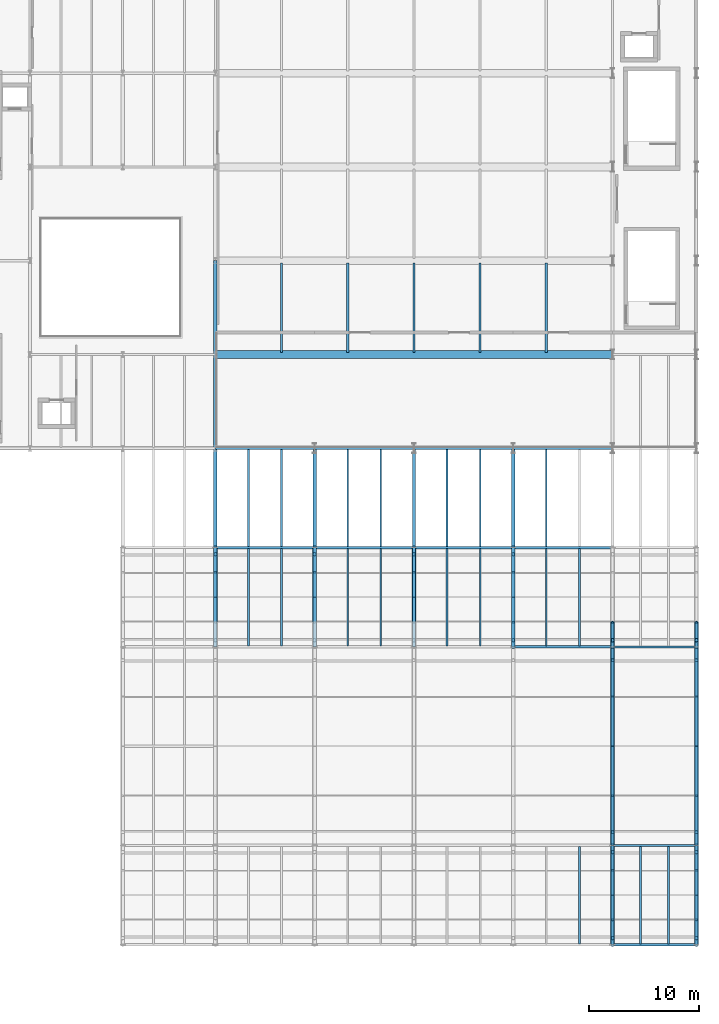
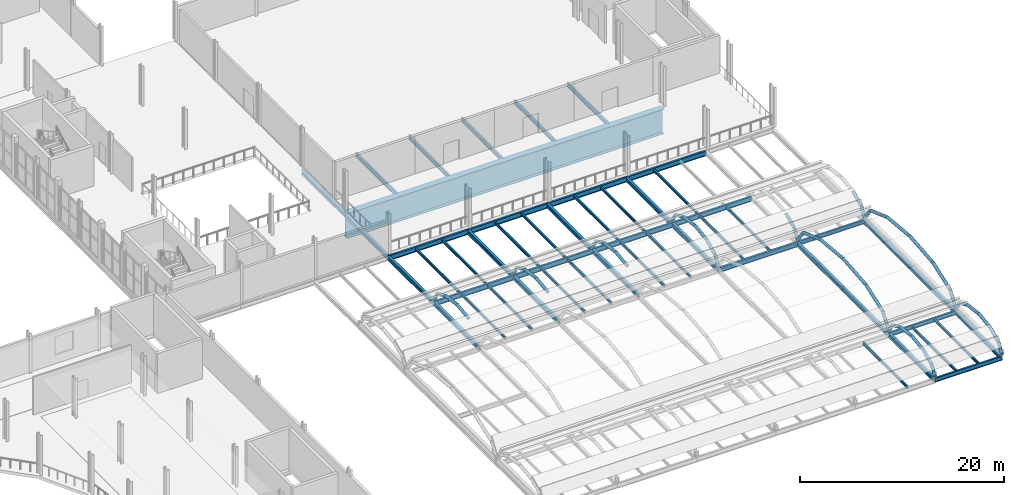
# One storey, part 34 of 63: 52 beams, 46 members.
"""IFC4 building model written with IfcOpenShell, lengths in metres."""

from ifc_helpers import new_model, si_unit, direction, frame, origin, origin_2d, place, context, subcontext, project, spatial, hollow_circle, i_section, extrude, material, material_profile, profile_set, type_object, element, save


model = new_model("IFC4")

# Units and contexts
model_context = context("Model", 3, precision=1e-05, world=origin(), true_north=direction((0.0, 1.0)))
body_context = subcontext(model_context, "Body", "Model", "MODEL_VIEW")
ifc_project = project(units=[si_unit("LENGTHUNIT", "METRE"), si_unit("AREAUNIT", "SQUARE_METRE"), si_unit("VOLUMEUNIT", "CUBIC_METRE"), si_unit("PLANEANGLEUNIT", "RADIAN"), si_unit("MASSUNIT", "GRAM", prefix="KILO")], contexts=[model_context])

# Site, building, storey
site_placement = place(None, origin())
site = spatial("IfcSite", under=ifc_project, at=site_placement, CompositionType="ELEMENT")
building_placement = place(site_placement, origin())
building = spatial("IfcBuilding", under=site, at=building_placement, Name="Sefraquen Railside Congress Hotel", CompositionType="ELEMENT")
storey_placement = place(building_placement, frame((0.0, 0.0, 11.39990234375)))
storey = spatial("IfcBuildingStorey", under=building, at=storey_placement, Name="L02", CompositionType="ELEMENT", Elevation=11.39990234375)

# Beams
ifc_material_1 = material(Name="Steel S355JR", Category="steel")
ifc_material_profile_1 = material_profile(ifc_material_1, i_section(OverallWidth=0.199951171875, OverallDepth=0.5, WebThickness=0.01025390625, FlangeThickness=0.01611328125, FilletRadius=0.02099609375, at=origin_2d()), Name="IPE 500")
ifc_profile_set_1 = profile_set([ifc_material_profile_1], Name="Steel S355JR")
beam_type_1 = type_object("IfcBeamType", Name="TB-BM-500", PredefinedType="BEAM", material=ifc_profile_set_1)
for number, where, z_axis, x_axis, name in (
    (1, (164.39990234375, 9.0, -0.599853515625), (1.0, 0.0, 0.0), (0.0, 1.0, 0.0), "Thermal Spa vault tension ring girder BM-L02-0680"),
    (2, (164.39990234375, 18.0, -0.599853515625), (1.0, 0.0, 0.0), (0.0, 1.0, 0.0), "Thermal Spa vault tension ring girder BM-L02-0689"),
    (3, (164.39990234375, 36.0, -0.599853515625), (1.0, 0.0, 0.0), (0.0, 1.0, 0.0), "Thermal Spa vault tension ring girder BM-L02-0704"),
):
    element("IfcBeam", number, at=place(storey_placement, frame(where, z_axis=z_axis, x_axis=x_axis)), inside=storey, type_object=beam_type_1, Name=name, PredefinedType="BEAM", context=body_context, shape_type="SweptSolid", body=[
        extrude(i_section(OverallWidth=0.199951171875, OverallDepth=0.5, WebThickness=0.01025390625, FlangeThickness=0.01611328125, FilletRadius=0.02099609375, at=origin_2d()), origin(), (0.0, 0.0, 1.0), 7.60009765625),
    ])
ifc_material_profile_2 = material_profile(ifc_material_1, i_section(OverallWidth=0.300048828125, OverallDepth=0.489990234375, WebThickness=0.011962890625, FlangeThickness=0.02294921875, FilletRadius=0.027099609375, at=origin_2d()), Name="HEA 500")
ifc_profile_set_2 = profile_set([ifc_material_profile_2], Name="Steel S355JR")
beam_type_2 = type_object("IfcBeamType", Name="TB-GIR-500", PredefinedType="T_BEAM", material=ifc_profile_set_2)
for number, where, z_axis, x_axis, name in (
    (4, (128.39990234375, 36.0, -0.594970703125), (0.0, 1.0, 0.0), (-1.0, 0.0, 0.0), "Floor beam BM-L02-0957"),
    (5, (128.39990234375, 45.0, -0.594970703125), (0.0, 1.0, 0.0), (-1.0, 0.0, 0.0), "Floor beam BM-L02-0958"),
):
    element("IfcBeam", number, at=place(storey_placement, frame(where, z_axis=z_axis, x_axis=x_axis)), inside=storey, type_object=beam_type_2, Name=name, PredefinedType="T_BEAM", context=body_context, shape_type="SweptSolid", body=[
        extrude(i_section(OverallWidth=0.300048828125, OverallDepth=0.489990234375, WebThickness=0.011962890625, FlangeThickness=0.02294921875, FilletRadius=0.027099609375, at=origin_2d()), origin(), (0.0, 0.0, 1.0), 9.0),
    ])
for number, where, z_axis, x_axis, name in (
    (6, (128.39990234375, 54.0, -0.594970703125), (0.0, 1.0, 0.0), (-1.0, 0.0, 0.0), "Floor beam BM-L02-0959"),
    (7, (128.39990234375, 62.5, -0.594970703125), (0.0, 1.0, 0.0), (-1.0, 0.0, 0.0), "Floor beam BM-L02-0960"),
):
    element("IfcBeam", number, at=place(storey_placement, frame(where, z_axis=z_axis, x_axis=x_axis)), inside=storey, type_object=beam_type_2, Name=name, PredefinedType="T_BEAM", context=body_context, shape_type="SweptSolid", body=[
        extrude(i_section(OverallWidth=0.300048828125, OverallDepth=0.489990234375, WebThickness=0.011962890625, FlangeThickness=0.02294921875, FilletRadius=0.027099609375, at=origin_2d()), origin(), (0.0, 0.0, 1.0), 8.5),
    ])
for number, where, z_axis, x_axis, name in (
    (8, (137.39990234375, 36.0, -0.594970703125), (0.0, 1.0, 0.0), (-1.0, 0.0, 0.0), "Floor beam BM-L02-0966"),
    (9, (137.39990234375, 45.0, -0.594970703125), (0.0, 1.0, 0.0), (-1.0, 0.0, 0.0), "Floor beam BM-L02-0967"),
    (10, (146.39990234375, 36.0, -0.594970703125), (0.0, 1.0, 0.0), (-1.0, 0.0, 0.0), "Floor beam BM-L02-0970"),
    (11, (146.39990234375, 45.0, -0.594970703125), (0.0, 1.0, 0.0), (-1.0, 0.0, 0.0), "Floor beam BM-L02-0971"),
    (12, (155.39990234375, 36.0, -0.594970703125), (0.0, 1.0, 0.0), (-1.0, 0.0, 0.0), "Floor beam BM-L02-0974"),
    (13, (155.39990234375, 45.0, -0.594970703125), (0.0, 1.0, 0.0), (-1.0, 0.0, 0.0), "Floor beam BM-L02-0975"),
    (14, (164.39990234375, 9.0, -0.594970703125), (0.0, 1.0, 0.0), (-1.0, 0.0, 0.0), "Floor beam BM-L02-0976"),
    (15, (164.39990234375, 18.0, -0.594970703125), (0.0, 1.0, 0.0), (-1.0, 0.0, 0.0), "Floor beam BM-L02-0977"),
    (16, (164.39990234375, 27.0, -0.594970703125), (0.0, 1.0, 0.0), (-1.0, 0.0, 0.0), "Floor beam BM-L02-0978"),
    (17, (172.0, 9.0, -0.594970703125), (0.0, 1.0, 0.0), (-1.0, 0.0, 0.0), "Floor beam BM-L02-0986"),
    (18, (172.0, 18.0, -0.594970703125), (0.0, 1.0, 0.0), (-1.0, 0.0, 0.0), "Floor beam BM-L02-0987"),
    (19, (172.0, 27.0, -0.594970703125), (0.0, 1.0, 0.0), (-1.0, 0.0, 0.0), "Floor beam BM-L02-0988"),
):
    element("IfcBeam", number, at=place(storey_placement, frame(where, z_axis=z_axis, x_axis=x_axis)), inside=storey, type_object=beam_type_2, Name=name, PredefinedType="T_BEAM", context=body_context, shape_type="SweptSolid", body=[
        extrude(i_section(OverallWidth=0.300048828125, OverallDepth=0.489990234375, WebThickness=0.011962890625, FlangeThickness=0.02294921875, FilletRadius=0.027099609375, at=origin_2d()), origin(), (0.0, 0.0, 1.0), 9.0),
    ])
ifc_material_profile_3 = material_profile(ifc_material_1, i_section(OverallWidth=0.219970703125, OverallDepth=0.60009765625, WebThickness=0.011962890625, FlangeThickness=0.01904296875, FilletRadius=0.02392578125, at=origin_2d()), Name="IPE 600")
ifc_profile_set_3 = profile_set([ifc_material_profile_3], Name="Steel S355JR")
beam_type_3 = type_object("IfcBeamType", Name="TB-GIR-600", PredefinedType="T_BEAM", material=ifc_profile_set_3)
for number, where, z_axis, x_axis, name in (
    (20, (155.39990234375, 36.0, -0.64990234375), (1.0, 0.0, 0.0), (0.0, 1.0, 0.0), "Thermal Spa vault tension ring girder BM-L02-0703"),
    (21, (128.39990234375, 45.0, -0.64990234375), (1.0, 0.0, 0.0), (0.0, 1.0, 0.0), "Thermal Spa vault tension ring girder BM-L02-0710"),
    (22, (137.39990234375, 45.0, -0.64990234375), (1.0, 0.0, 0.0), (0.0, 1.0, 0.0), "Thermal Spa vault tension ring girder BM-L02-0711"),
    (23, (146.39990234375, 45.0, -0.64990234375), (1.0, 0.0, 0.0), (0.0, 1.0, 0.0), "Thermal Spa vault tension ring girder BM-L02-0712"),
    (24, (155.39990234375, 45.0, -0.64990234375), (1.0, 0.0, 0.0), (0.0, 1.0, 0.0), "Thermal Spa vault tension ring girder BM-L02-0713"),
    (25, (128.39990234375, 54.0, -0.64990234375), (1.0, 0.0, 0.0), (0.0, 1.0, 0.0), "Primary girder BM-L02-0727"),
    (26, (137.39990234375, 54.0, -0.64990234375), (1.0, 0.0, 0.0), (0.0, 1.0, 0.0), "Primary girder BM-L02-0728"),
    (27, (146.39990234375, 54.0, -0.64990234375), (1.0, 0.0, 0.0), (0.0, 1.0, 0.0), "Primary girder BM-L02-0729"),
    (28, (155.39990234375, 54.0, -0.64990234375), (1.0, 0.0, 0.0), (0.0, 1.0, 0.0), "Primary girder BM-L02-0730"),
):
    element("IfcBeam", number, at=place(storey_placement, frame(where, z_axis=z_axis, x_axis=x_axis)), inside=storey, type_object=beam_type_3, Name=name, PredefinedType="T_BEAM", context=body_context, shape_type="SweptSolid", body=[
        extrude(i_section(OverallWidth=0.219970703125, OverallDepth=0.60009765625, WebThickness=0.011962890625, FlangeThickness=0.01904296875, FilletRadius=0.02392578125, at=origin_2d()), origin(), (0.0, 0.0, 1.0), 9.0),
    ])
ifc_material_profile_4 = material_profile(ifc_material_1, i_section(OverallWidth=0.159912109375, OverallDepth=0.330078125, WebThickness=0.007568359375, FlangeThickness=0.011474609375, FilletRadius=0.01806640625, at=origin_2d()), Name="IPE 330")
ifc_profile_set_4 = profile_set([ifc_material_profile_4], Name="Steel S355JR")
beam_type_4 = type_object("IfcBeamType", Name="TB-JST-330", PredefinedType="JOIST", material=ifc_profile_set_4)
for number, where, z_axis, x_axis, name in (
    (29, (131.39990234375, 36.090087890625, -0.514892578125), (0.0, 1.0, 0.0), (-1.0, 0.0, 0.0), "Composite floor joist BM-L02-J0602"),
    (30, (134.39990234375, 36.090087890625, -0.514892578125), (0.0, 1.0, 0.0), (-1.0, 0.0, 0.0), "Composite floor joist BM-L02-J0603"),
    (31, (131.39990234375, 45.090087890625, -0.514892578125), (0.0, 1.0, 0.0), (-1.0, 0.0, 0.0), "Composite floor joist BM-L02-J0604"),
    (32, (134.39990234375, 45.090087890625, -0.514892578125), (0.0, 1.0, 0.0), (-1.0, 0.0, 0.0), "Composite floor joist BM-L02-J0605"),
    (33, (140.39990234375, 36.090087890625, -0.514892578125), (0.0, 1.0, 0.0), (-1.0, 0.0, 0.0), "Composite floor joist BM-L02-J0608"),
    (34, (143.39990234375, 36.090087890625, -0.514892578125), (0.0, 1.0, 0.0), (-1.0, 0.0, 0.0), "Composite floor joist BM-L02-J0609"),
    (35, (140.39990234375, 45.090087890625, -0.514892578125), (0.0, 1.0, 0.0), (-1.0, 0.0, 0.0), "Composite floor joist BM-L02-J0610"),
    (36, (143.39990234375, 45.090087890625, -0.514892578125), (0.0, 1.0, 0.0), (-1.0, 0.0, 0.0), "Composite floor joist BM-L02-J0611"),
    (37, (149.39990234375, 36.090087890625, -0.514892578125), (0.0, 1.0, 0.0), (-1.0, 0.0, 0.0), "Composite floor joist BM-L02-J0614"),
    (38, (152.39990234375, 36.090087890625, -0.514892578125), (0.0, 1.0, 0.0), (-1.0, 0.0, 0.0), "Composite floor joist BM-L02-J0615"),
    (39, (149.39990234375, 45.090087890625, -0.514892578125), (0.0, 1.0, 0.0), (-1.0, 0.0, 0.0), "Composite floor joist BM-L02-J0616"),
    (40, (152.39990234375, 45.090087890625, -0.514892578125), (0.0, 1.0, 0.0), (-1.0, 0.0, 0.0), "Composite floor joist BM-L02-J0617"),
    (41, (161.39990234375, 9.090087890625, -0.514892578125), (0.0, 1.0, 0.0), (-1.0, 0.0, 0.0), "Composite floor joist BM-L02-J0619"),
    (42, (158.39990234375, 36.090087890625, -0.514892578125), (0.0, 1.0, 0.0), (-1.0, 0.0, 0.0), "Composite floor joist BM-L02-J0620"),
    (43, (161.39990234375, 36.090087890625, -0.514892578125), (0.0, 1.0, 0.0), (-1.0, 0.0, 0.0), "Composite floor joist BM-L02-J0621"),
    (44, (158.39990234375, 45.090087890625, -0.514892578125), (0.0, 1.0, 0.0), (-1.0, 0.0, 0.0), "Composite floor joist BM-L02-J0622"),
):
    element("IfcBeam", number, at=place(storey_placement, frame(where, z_axis=z_axis, x_axis=x_axis)), inside=storey, type_object=beam_type_4, Name=name, PredefinedType="JOIST", context=body_context, shape_type="SweptSolid", body=[
        extrude(i_section(OverallWidth=0.159912109375, OverallDepth=0.330078125, WebThickness=0.007568359375, FlangeThickness=0.011474609375, FilletRadius=0.01806640625, at=origin_2d()), origin(), (0.0, 0.0, 1.0), 8.81982421875),
    ])
for number, where, z_axis, x_axis, name in (
    (45, (166.933349609375, 9.080078125, -0.514892578125), (0.0, 1.0, 0.0), (-1.0, 0.0, 0.0), "Composite floor joist BM-L02-J0624"),
    (46, (169.466796875, 9.080078125, -0.514892578125), (0.0, 1.0, 0.0), (-1.0, 0.0, 0.0), "Composite floor joist BM-L02-J0625"),
):
    element("IfcBeam", number, at=place(storey_placement, frame(where, z_axis=z_axis, x_axis=x_axis)), inside=storey, type_object=beam_type_4, Name=name, PredefinedType="JOIST", context=body_context, shape_type="SweptSolid", body=[
        extrude(i_section(OverallWidth=0.159912109375, OverallDepth=0.330078125, WebThickness=0.007568359375, FlangeThickness=0.011474609375, FilletRadius=0.01806640625, at=origin_2d()), origin(), (0.0, 0.0, 1.0), 8.83984375),
    ])
ifc_material_profile_5 = material_profile(ifc_material_1, i_section(OverallWidth=0.199951171875, OverallDepth=0.5, WebThickness=0.01025390625, FlangeThickness=0.01611328125, FilletRadius=0.02099609375, at=origin_2d()), Name="IPE 500")
ifc_profile_set_5 = profile_set([ifc_material_profile_5], Name="Steel S355JR")
beam_type_5 = type_object("IfcBeamType", Name="TB-JST-500", PredefinedType="JOIST", material=ifc_profile_set_5)
for number, where, z_axis, x_axis, name in (
    (47, (134.39990234375, 62.699951171875, -0.469970703125), (0.0, 1.0, 0.0), (-1.0, 0.0, 0.0), "Ballroom transfer secondary joist BM-L02-BJ0632"),
    (48, (140.39990234375, 62.699951171875, -0.469970703125), (0.0, 1.0, 0.0), (-1.0, 0.0, 0.0), "Ballroom transfer secondary joist BM-L02-BJ0633"),
    (49, (146.39990234375, 62.699951171875, -0.469970703125), (0.0, 1.0, 0.0), (-1.0, 0.0, 0.0), "Ballroom transfer secondary joist BM-L02-BJ0634"),
    (50, (152.39990234375, 62.699951171875, -0.469970703125), (0.0, 1.0, 0.0), (-1.0, 0.0, 0.0), "Ballroom transfer secondary joist BM-L02-BJ0635"),
    (51, (158.39990234375, 62.699951171875, -0.469970703125), (0.0, 1.0, 0.0), (-1.0, 0.0, 0.0), "Ballroom transfer secondary joist BM-L02-BJ0636"),
):
    element("IfcBeam", number, at=place(storey_placement, frame(where, z_axis=z_axis, x_axis=x_axis)), inside=storey, type_object=beam_type_5, Name=name, PredefinedType="JOIST", context=body_context, shape_type="SweptSolid", body=[
        extrude(i_section(OverallWidth=0.199951171875, OverallDepth=0.5, WebThickness=0.01025390625, FlangeThickness=0.01611328125, FilletRadius=0.02099609375, at=origin_2d()), origin(), (0.0, 0.0, 1.0), 8.10009765625),
    ])
ifc_material_2 = material(Name="Steel S355J2", Category="steel")
ifc_material_profile_6 = material_profile(ifc_material_2, i_section(OverallWidth=0.699951171875, OverallDepth=3.0, WebThickness=0.031982421875, FlangeThickness=0.054931640625, at=origin_2d()), Name="WG 3000x700")
ifc_profile_set_6 = profile_set([ifc_material_profile_6], Name="Steel S355J2")
beam_type_6 = type_object("IfcBeamType", Name="TB-TG-3000", PredefinedType="USERDEFINED", material=ifc_profile_set_6)
beam_placement = place(storey_placement, frame((128.39990234375, 62.5, -1.81982421875), z_axis=(1.0, 0.0, 0.0), x_axis=(0.0, 1.0, 0.0)))
element("IfcBeam", 52, at=beam_placement, inside=storey, type_object=beam_type_6, Name="Transfer girder BM-L02-0740", ObjectType="TRANSFER GIRDER", PredefinedType="USERDEFINED", context=body_context, shape_type="SweptSolid", body=[
    extrude(i_section(OverallWidth=0.699951171875, OverallDepth=3.0, WebThickness=0.031982421875, FlangeThickness=0.054931640625, at=origin_2d()), origin(), (0.0, 0.0, 1.0), 36.0),
])

# Members
ifc_material_profile_7 = material_profile(ifc_material_2, hollow_circle(Radius=0.177734375, WallThickness=0.01611328125, at=origin_2d()), Name="CHS 355.6x16")
ifc_profile_set_7 = profile_set([ifc_material_profile_7], Name="Steel S355J2")
member_type = type_object("IfcMemberType", Name="TM-VRAF-355", PredefinedType="RAFTER", material=ifc_profile_set_7)
member_1_placement = place(storey_placement, frame((164.39990234375, 9.0, -0.18994140625), z_axis=(0.0, 0.4949942083, 0.868896273297), x_axis=(-1.0, 0.0, 0.0)))
element("IfcMember", 53, at=member_1_placement, inside=storey, type_object=member_type, Name="Thermal Spa vault 1 arched rib 6.1", PredefinedType="RAFTER", context=body_context, shape_type="SweptSolid", body=[
    extrude(hollow_circle(Radius=0.177734375, WallThickness=0.01611328125, at=origin_2d()), origin(), (0.0, 0.0, 1.0), 1.2177734375),
])
member_2_placement = place(storey_placement, frame((164.39990234375, 9.602783203125, 0.8681640625), z_axis=(0.0, 0.906214019908, 0.422819287783), x_axis=(-1.0, 0.0, 0.0)))
element("IfcMember", 54, at=member_2_placement, inside=storey, type_object=member_type, Name="Thermal Spa vault 1 arched rib 6.2", PredefinedType="RAFTER", context=body_context, shape_type="SweptSolid", body=[
    extrude(hollow_circle(Radius=0.177734375, WallThickness=0.01611328125, at=origin_2d()), origin(), (0.0, 0.0, 1.0), 1.817626953125),
])
for number, where, z_axis, x_axis, name in (
    (55, (164.39990234375, 11.25, 1.63671875), (0.0, 0.992264619654, 0.124140745059), (-1.0, 0.0, 0.0), "Thermal Spa vault 1 arched rib 6.3"),
    (56, (164.39990234375, 13.5, 1.918212890625), (0.0, 0.992264619654, -0.124140745059), (-1.0, 0.0, 0.0), "Thermal Spa vault 1 arched rib 6.4"),
):
    element("IfcMember", number, at=place(storey_placement, frame(where, z_axis=z_axis, x_axis=x_axis)), inside=storey, type_object=member_type, Name=name, PredefinedType="RAFTER", context=body_context, shape_type="SweptSolid", body=[
        extrude(hollow_circle(Radius=0.177734375, WallThickness=0.01611328125, at=origin_2d()), origin(), (0.0, 0.0, 1.0), 2.267578125),
    ])
member_3_placement = place(storey_placement, frame((164.39990234375, 15.75, 1.63671875), z_axis=(0.0, 0.906214019908, -0.422819287783), x_axis=(-1.0, 0.0, 0.0)))
element("IfcMember", 57, at=member_3_placement, inside=storey, type_object=member_type, Name="Thermal Spa vault 1 arched rib 6.5", PredefinedType="RAFTER", context=body_context, shape_type="SweptSolid", body=[
    extrude(hollow_circle(Radius=0.177734375, WallThickness=0.01611328125, at=origin_2d()), origin(), (0.0, 0.0, 1.0), 1.817626953125),
])
for number, where, z_axis, x_axis, name in (
    (58, (164.39990234375, 17.397216796875, 0.8681640625), (0.0, 0.4949942083, -0.868896273297), (-1.0, 0.0, 0.0), "Thermal Spa vault 1 arched rib 6.6"),
    (59, (172.0, 9.0, -0.18994140625), (0.0, 0.4949942083, 0.868896273297), (-1.0, 0.0, 0.0), "Thermal Spa vault 1 arched rib 7.1"),
):
    element("IfcMember", number, at=place(storey_placement, frame(where, z_axis=z_axis, x_axis=x_axis)), inside=storey, type_object=member_type, Name=name, PredefinedType="RAFTER", context=body_context, shape_type="SweptSolid", body=[
        extrude(hollow_circle(Radius=0.177734375, WallThickness=0.01611328125, at=origin_2d()), origin(), (0.0, 0.0, 1.0), 1.2177734375),
    ])
member_4_placement = place(storey_placement, frame((172.0, 9.602783203125, 0.8681640625), z_axis=(0.0, 0.906214019908, 0.422819287783), x_axis=(-1.0, 0.0, 0.0)))
element("IfcMember", 60, at=member_4_placement, inside=storey, type_object=member_type, Name="Thermal Spa vault 1 arched rib 7.2", PredefinedType="RAFTER", context=body_context, shape_type="SweptSolid", body=[
    extrude(hollow_circle(Radius=0.177734375, WallThickness=0.01611328125, at=origin_2d()), origin(), (0.0, 0.0, 1.0), 1.817626953125),
])
for number, where, z_axis, x_axis, name in (
    (61, (172.0, 11.25, 1.63671875), (0.0, 0.992264619654, 0.124140745059), (-1.0, 0.0, 0.0), "Thermal Spa vault 1 arched rib 7.3"),
    (62, (172.0, 13.5, 1.918212890625), (0.0, 0.992264619654, -0.124140745059), (-1.0, 0.0, 0.0), "Thermal Spa vault 1 arched rib 7.4"),
):
    element("IfcMember", number, at=place(storey_placement, frame(where, z_axis=z_axis, x_axis=x_axis)), inside=storey, type_object=member_type, Name=name, PredefinedType="RAFTER", context=body_context, shape_type="SweptSolid", body=[
        extrude(hollow_circle(Radius=0.177734375, WallThickness=0.01611328125, at=origin_2d()), origin(), (0.0, 0.0, 1.0), 2.267578125),
    ])
member_5_placement = place(storey_placement, frame((172.0, 15.75, 1.63671875), z_axis=(0.0, 0.906214019908, -0.422819287783), x_axis=(-1.0, 0.0, 0.0)))
element("IfcMember", 63, at=member_5_placement, inside=storey, type_object=member_type, Name="Thermal Spa vault 1 arched rib 7.5", PredefinedType="RAFTER", context=body_context, shape_type="SweptSolid", body=[
    extrude(hollow_circle(Radius=0.177734375, WallThickness=0.01611328125, at=origin_2d()), origin(), (0.0, 0.0, 1.0), 1.817626953125),
])
member_6_placement = place(storey_placement, frame((172.0, 17.397216796875, 0.8681640625), z_axis=(0.0, 0.4949942083, -0.868896273297), x_axis=(-1.0, 0.0, 0.0)))
element("IfcMember", 64, at=member_6_placement, inside=storey, type_object=member_type, Name="Thermal Spa vault 1 arched rib 7.6", PredefinedType="RAFTER", context=body_context, shape_type="SweptSolid", body=[
    extrude(hollow_circle(Radius=0.177734375, WallThickness=0.01611328125, at=origin_2d()), origin(), (0.0, 0.0, 1.0), 1.2177734375),
])
member_7_placement = place(storey_placement, frame((164.39990234375, 18.0, -0.18994140625), z_axis=(0.0, 0.599902825649, 0.800072871543), x_axis=(-1.0, 0.0, 0.0)))
element("IfcMember", 65, at=member_7_placement, inside=storey, type_object=member_type, Name="Thermal Spa vault 2 arched rib 6.1", PredefinedType="RAFTER", context=body_context, shape_type="SweptSolid", body=[
    extrude(hollow_circle(Radius=0.177734375, WallThickness=0.01611328125, at=origin_2d()), origin(), (0.0, 0.0, 1.0), 2.010009765625),
])
member_8_placement = place(storey_placement, frame((164.39990234375, 19.205810546875, 1.418212890625), z_axis=(0.0, 0.942225955729, 0.334977981889), x_axis=(-1.0, 0.0, 0.0)))
element("IfcMember", 66, at=member_8_placement, inside=storey, type_object=member_type, Name="Thermal Spa vault 2 arched rib 6.2", PredefinedType="RAFTER", context=body_context, shape_type="SweptSolid", body=[
    extrude(hollow_circle(Radius=0.177734375, WallThickness=0.01611328125, at=origin_2d()), origin(), (0.0, 0.0, 1.0), 3.49609375),
])
for number, where, z_axis, x_axis, name in (
    (67, (164.39990234375, 22.5, 2.58935546875), (0.0, 0.995492559283, 0.094839677414), (-1.0, 0.0, 0.0), "Thermal Spa vault 2 arched rib 6.3"),
    (68, (164.39990234375, 27.0, 3.01806640625), (0.0, 0.995492559283, -0.094839677414), (-1.0, 0.0, 0.0), "Thermal Spa vault 2 arched rib 6.4"),
):
    element("IfcMember", number, at=place(storey_placement, frame(where, z_axis=z_axis, x_axis=x_axis)), inside=storey, type_object=member_type, Name=name, PredefinedType="RAFTER", context=body_context, shape_type="SweptSolid", body=[
        extrude(hollow_circle(Radius=0.177734375, WallThickness=0.01611328125, at=origin_2d()), origin(), (0.0, 0.0, 1.0), 4.520263671875),
    ])
member_9_placement = place(storey_placement, frame((164.39990234375, 31.5, 2.58935546875), z_axis=(0.0, 0.942225955729, -0.334977981889), x_axis=(-1.0, 0.0, 0.0)))
element("IfcMember", 69, at=member_9_placement, inside=storey, type_object=member_type, Name="Thermal Spa vault 2 arched rib 6.5", PredefinedType="RAFTER", context=body_context, shape_type="SweptSolid", body=[
    extrude(hollow_circle(Radius=0.177734375, WallThickness=0.01611328125, at=origin_2d()), origin(), (0.0, 0.0, 1.0), 3.49609375),
])
for number, where, z_axis, x_axis, name in (
    (70, (164.39990234375, 34.794189453125, 1.418212890625), (0.0, 0.599902825649, -0.800072871543), (-1.0, 0.0, 0.0), "Thermal Spa vault 2 arched rib 6.6"),
    (71, (172.0, 18.0, -0.18994140625), (0.0, 0.599902825649, 0.800072871543), (-1.0, 0.0, 0.0), "Thermal Spa vault 2 arched rib 7.1"),
):
    element("IfcMember", number, at=place(storey_placement, frame(where, z_axis=z_axis, x_axis=x_axis)), inside=storey, type_object=member_type, Name=name, PredefinedType="RAFTER", context=body_context, shape_type="SweptSolid", body=[
        extrude(hollow_circle(Radius=0.177734375, WallThickness=0.01611328125, at=origin_2d()), origin(), (0.0, 0.0, 1.0), 2.010009765625),
    ])
member_10_placement = place(storey_placement, frame((172.0, 19.205810546875, 1.418212890625), z_axis=(0.0, 0.942225955729, 0.334977981889), x_axis=(-1.0, 0.0, 0.0)))
element("IfcMember", 72, at=member_10_placement, inside=storey, type_object=member_type, Name="Thermal Spa vault 2 arched rib 7.2", PredefinedType="RAFTER", context=body_context, shape_type="SweptSolid", body=[
    extrude(hollow_circle(Radius=0.177734375, WallThickness=0.01611328125, at=origin_2d()), origin(), (0.0, 0.0, 1.0), 3.49609375),
])
for number, where, z_axis, x_axis, name in (
    (73, (172.0, 22.5, 2.58935546875), (0.0, 0.995492559283, 0.094839677414), (-1.0, 0.0, 0.0), "Thermal Spa vault 2 arched rib 7.3"),
    (74, (172.0, 27.0, 3.01806640625), (0.0, 0.995492559283, -0.094839677414), (-1.0, 0.0, 0.0), "Thermal Spa vault 2 arched rib 7.4"),
):
    element("IfcMember", number, at=place(storey_placement, frame(where, z_axis=z_axis, x_axis=x_axis)), inside=storey, type_object=member_type, Name=name, PredefinedType="RAFTER", context=body_context, shape_type="SweptSolid", body=[
        extrude(hollow_circle(Radius=0.177734375, WallThickness=0.01611328125, at=origin_2d()), origin(), (0.0, 0.0, 1.0), 4.520263671875),
    ])
member_11_placement = place(storey_placement, frame((172.0, 31.5, 2.58935546875), z_axis=(0.0, 0.942225955729, -0.334977981889), x_axis=(-1.0, 0.0, 0.0)))
element("IfcMember", 75, at=member_11_placement, inside=storey, type_object=member_type, Name="Thermal Spa vault 2 arched rib 7.5", PredefinedType="RAFTER", context=body_context, shape_type="SweptSolid", body=[
    extrude(hollow_circle(Radius=0.177734375, WallThickness=0.01611328125, at=origin_2d()), origin(), (0.0, 0.0, 1.0), 3.49609375),
])
member_12_placement = place(storey_placement, frame((172.0, 34.794189453125, 1.418212890625), z_axis=(0.0, 0.599902825649, -0.800072871543), x_axis=(-1.0, 0.0, 0.0)))
element("IfcMember", 76, at=member_12_placement, inside=storey, type_object=member_type, Name="Thermal Spa vault 2 arched rib 7.6", PredefinedType="RAFTER", context=body_context, shape_type="SweptSolid", body=[
    extrude(hollow_circle(Radius=0.177734375, WallThickness=0.01611328125, at=origin_2d()), origin(), (0.0, 0.0, 1.0), 2.010009765625),
])
for number, where, z_axis, x_axis, name in (
    (77, (128.39990234375, 38.25, 1.63671875), (0.0, 0.992264619654, 0.124140745059), (-1.0, 0.0, 0.0), "Thermal Spa vault 3 arched rib 2.3"),
    (78, (128.39990234375, 40.5, 1.918212890625), (0.0, 0.992264619654, -0.124140745059), (-1.0, 0.0, 0.0), "Thermal Spa vault 3 arched rib 2.4"),
):
    element("IfcMember", number, at=place(storey_placement, frame(where, z_axis=z_axis, x_axis=x_axis)), inside=storey, type_object=member_type, Name=name, PredefinedType="RAFTER", context=body_context, shape_type="SweptSolid", body=[
        extrude(hollow_circle(Radius=0.177734375, WallThickness=0.01611328125, at=origin_2d()), origin(), (0.0, 0.0, 1.0), 2.267578125),
    ])
member_13_placement = place(storey_placement, frame((128.39990234375, 42.75, 1.63671875), z_axis=(0.0, 0.906214019908, -0.422819287783), x_axis=(-1.0, 0.0, 0.0)))
element("IfcMember", 79, at=member_13_placement, inside=storey, type_object=member_type, Name="Thermal Spa vault 3 arched rib 2.5", PredefinedType="RAFTER", context=body_context, shape_type="SweptSolid", body=[
    extrude(hollow_circle(Radius=0.177734375, WallThickness=0.01611328125, at=origin_2d()), origin(), (0.0, 0.0, 1.0), 1.817626953125),
])
member_14_placement = place(storey_placement, frame((128.39990234375, 44.397216796875, 0.8681640625), z_axis=(0.0, 0.4949942083, -0.868896273297), x_axis=(-1.0, 0.0, 0.0)))
element("IfcMember", 80, at=member_14_placement, inside=storey, type_object=member_type, Name="Thermal Spa vault 3 arched rib 2.6", PredefinedType="RAFTER", context=body_context, shape_type="SweptSolid", body=[
    extrude(hollow_circle(Radius=0.177734375, WallThickness=0.01611328125, at=origin_2d()), origin(), (0.0, 0.0, 1.0), 1.2177734375),
])
for number, where, z_axis, x_axis, name in (
    (81, (137.39990234375, 38.25, 1.63671875), (0.0, 0.992264619654, 0.124140745059), (-1.0, 0.0, 0.0), "Thermal Spa vault 3 arched rib 3.3"),
    (82, (137.39990234375, 40.5, 1.918212890625), (0.0, 0.992264619654, -0.124140745059), (-1.0, 0.0, 0.0), "Thermal Spa vault 3 arched rib 3.4"),
):
    element("IfcMember", number, at=place(storey_placement, frame(where, z_axis=z_axis, x_axis=x_axis)), inside=storey, type_object=member_type, Name=name, PredefinedType="RAFTER", context=body_context, shape_type="SweptSolid", body=[
        extrude(hollow_circle(Radius=0.177734375, WallThickness=0.01611328125, at=origin_2d()), origin(), (0.0, 0.0, 1.0), 2.267578125),
    ])
member_15_placement = place(storey_placement, frame((137.39990234375, 42.75, 1.63671875), z_axis=(0.0, 0.906214019908, -0.422819287783), x_axis=(-1.0, 0.0, 0.0)))
element("IfcMember", 83, at=member_15_placement, inside=storey, type_object=member_type, Name="Thermal Spa vault 3 arched rib 3.5", PredefinedType="RAFTER", context=body_context, shape_type="SweptSolid", body=[
    extrude(hollow_circle(Radius=0.177734375, WallThickness=0.01611328125, at=origin_2d()), origin(), (0.0, 0.0, 1.0), 1.817626953125),
])
member_16_placement = place(storey_placement, frame((137.39990234375, 44.397216796875, 0.8681640625), z_axis=(0.0, 0.4949942083, -0.868896273297), x_axis=(-1.0, 0.0, 0.0)))
element("IfcMember", 84, at=member_16_placement, inside=storey, type_object=member_type, Name="Thermal Spa vault 3 arched rib 3.6", PredefinedType="RAFTER", context=body_context, shape_type="SweptSolid", body=[
    extrude(hollow_circle(Radius=0.177734375, WallThickness=0.01611328125, at=origin_2d()), origin(), (0.0, 0.0, 1.0), 1.2177734375),
])
for number, where, z_axis, x_axis, name in (
    (85, (146.39990234375, 38.25, 1.63671875), (0.0, 0.992264619654, 0.124140745059), (-1.0, 0.0, 0.0), "Thermal Spa vault 3 arched rib 4.3"),
    (86, (146.39990234375, 40.5, 1.918212890625), (0.0, 0.992264619654, -0.124140745059), (-1.0, 0.0, 0.0), "Thermal Spa vault 3 arched rib 4.4"),
):
    element("IfcMember", number, at=place(storey_placement, frame(where, z_axis=z_axis, x_axis=x_axis)), inside=storey, type_object=member_type, Name=name, PredefinedType="RAFTER", context=body_context, shape_type="SweptSolid", body=[
        extrude(hollow_circle(Radius=0.177734375, WallThickness=0.01611328125, at=origin_2d()), origin(), (0.0, 0.0, 1.0), 2.267578125),
    ])
member_17_placement = place(storey_placement, frame((146.39990234375, 42.75, 1.63671875), z_axis=(0.0, 0.906214019908, -0.422819287783), x_axis=(-1.0, 0.0, 0.0)))
element("IfcMember", 87, at=member_17_placement, inside=storey, type_object=member_type, Name="Thermal Spa vault 3 arched rib 4.5", PredefinedType="RAFTER", context=body_context, shape_type="SweptSolid", body=[
    extrude(hollow_circle(Radius=0.177734375, WallThickness=0.01611328125, at=origin_2d()), origin(), (0.0, 0.0, 1.0), 1.817626953125),
])
for number, where, z_axis, x_axis, name in (
    (88, (146.39990234375, 44.397216796875, 0.8681640625), (0.0, 0.4949942083, -0.868896273297), (-1.0, 0.0, 0.0), "Thermal Spa vault 3 arched rib 4.6"),
    (89, (155.39990234375, 36.0, -0.18994140625), (0.0, 0.4949942083, 0.868896273297), (-1.0, 0.0, 0.0), "Thermal Spa vault 3 arched rib 5.1"),
):
    element("IfcMember", number, at=place(storey_placement, frame(where, z_axis=z_axis, x_axis=x_axis)), inside=storey, type_object=member_type, Name=name, PredefinedType="RAFTER", context=body_context, shape_type="SweptSolid", body=[
        extrude(hollow_circle(Radius=0.177734375, WallThickness=0.01611328125, at=origin_2d()), origin(), (0.0, 0.0, 1.0), 1.2177734375),
    ])
member_18_placement = place(storey_placement, frame((155.39990234375, 36.602783203125, 0.8681640625), z_axis=(0.0, 0.906214019908, 0.422819287783), x_axis=(-1.0, 0.0, 0.0)))
element("IfcMember", 90, at=member_18_placement, inside=storey, type_object=member_type, Name="Thermal Spa vault 3 arched rib 5.2", PredefinedType="RAFTER", context=body_context, shape_type="SweptSolid", body=[
    extrude(hollow_circle(Radius=0.177734375, WallThickness=0.01611328125, at=origin_2d()), origin(), (0.0, 0.0, 1.0), 1.817626953125),
])
for number, where, z_axis, x_axis, name in (
    (91, (155.39990234375, 38.25, 1.63671875), (0.0, 0.992264619654, 0.124140745059), (-1.0, 0.0, 0.0), "Thermal Spa vault 3 arched rib 5.3"),
    (92, (155.39990234375, 40.5, 1.918212890625), (0.0, 0.992264619654, -0.124140745059), (-1.0, 0.0, 0.0), "Thermal Spa vault 3 arched rib 5.4"),
):
    element("IfcMember", number, at=place(storey_placement, frame(where, z_axis=z_axis, x_axis=x_axis)), inside=storey, type_object=member_type, Name=name, PredefinedType="RAFTER", context=body_context, shape_type="SweptSolid", body=[
        extrude(hollow_circle(Radius=0.177734375, WallThickness=0.01611328125, at=origin_2d()), origin(), (0.0, 0.0, 1.0), 2.267578125),
    ])
member_19_placement = place(storey_placement, frame((155.39990234375, 42.75, 1.63671875), z_axis=(0.0, 0.906214019908, -0.422819287783), x_axis=(-1.0, 0.0, 0.0)))
element("IfcMember", 93, at=member_19_placement, inside=storey, type_object=member_type, Name="Thermal Spa vault 3 arched rib 5.5", PredefinedType="RAFTER", context=body_context, shape_type="SweptSolid", body=[
    extrude(hollow_circle(Radius=0.177734375, WallThickness=0.01611328125, at=origin_2d()), origin(), (0.0, 0.0, 1.0), 1.817626953125),
])
for number, where, z_axis, x_axis, name in (
    (94, (155.39990234375, 44.397216796875, 0.8681640625), (0.0, 0.4949942083, -0.868896273297), (-1.0, 0.0, 0.0), "Thermal Spa vault 3 arched rib 5.6"),
    (95, (164.39990234375, 36.0, -0.18994140625), (0.0, 0.4949942083, 0.868896273297), (-1.0, 0.0, 0.0), "Thermal Spa vault 3 arched rib 6.1"),
):
    element("IfcMember", number, at=place(storey_placement, frame(where, z_axis=z_axis, x_axis=x_axis)), inside=storey, type_object=member_type, Name=name, PredefinedType="RAFTER", context=body_context, shape_type="SweptSolid", body=[
        extrude(hollow_circle(Radius=0.177734375, WallThickness=0.01611328125, at=origin_2d()), origin(), (0.0, 0.0, 1.0), 1.2177734375),
    ])
member_20_placement = place(storey_placement, frame((164.39990234375, 36.602783203125, 0.8681640625), z_axis=(0.0, 0.906214019908, 0.422819287783), x_axis=(-1.0, 0.0, 0.0)))
element("IfcMember", 96, at=member_20_placement, inside=storey, type_object=member_type, Name="Thermal Spa vault 3 arched rib 6.2", PredefinedType="RAFTER", context=body_context, shape_type="SweptSolid", body=[
    extrude(hollow_circle(Radius=0.177734375, WallThickness=0.01611328125, at=origin_2d()), origin(), (0.0, 0.0, 1.0), 1.817626953125),
])
member_21_placement = place(storey_placement, frame((172.0, 36.0, -0.18994140625), z_axis=(0.0, 0.4949942083, 0.868896273297), x_axis=(-1.0, 0.0, 0.0)))
element("IfcMember", 97, at=member_21_placement, inside=storey, type_object=member_type, Name="Thermal Spa vault 3 arched rib 7.1", PredefinedType="RAFTER", context=body_context, shape_type="SweptSolid", body=[
    extrude(hollow_circle(Radius=0.177734375, WallThickness=0.01611328125, at=origin_2d()), origin(), (0.0, 0.0, 1.0), 1.2177734375),
])
member_22_placement = place(storey_placement, frame((172.0, 36.602783203125, 0.8681640625), z_axis=(0.0, 0.906214019908, 0.422819287783), x_axis=(-1.0, 0.0, 0.0)))
element("IfcMember", 98, at=member_22_placement, inside=storey, type_object=member_type, Name="Thermal Spa vault 3 arched rib 7.2", PredefinedType="RAFTER", context=body_context, shape_type="SweptSolid", body=[
    extrude(hollow_circle(Radius=0.177734375, WallThickness=0.01611328125, at=origin_2d()), origin(), (0.0, 0.0, 1.0), 1.817626953125),
])

save(model, "model.ifc")
